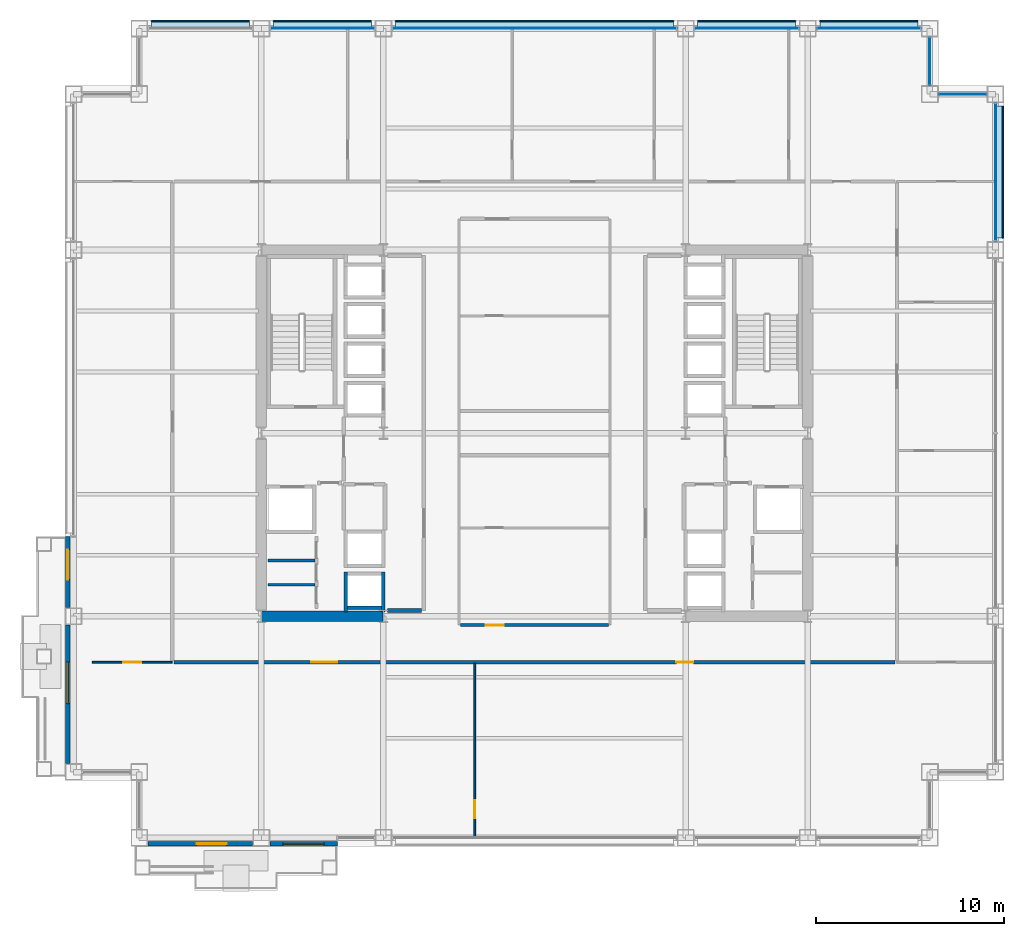
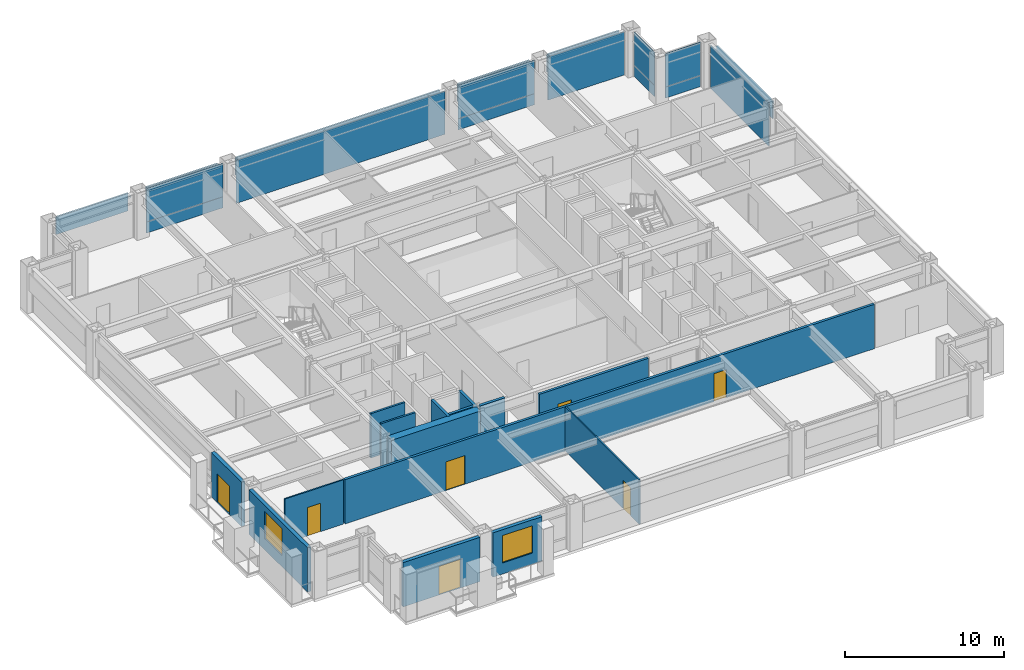
# One storey, part 22 of 28: 23 plates, 15 walls, 7 doors, 2 windows, 9 openings, 7 elements without a shape of their own.
"""IFC4 building model written with IfcOpenShell, lengths in metres."""

from ifc_helpers import new_model, si_unit, direction, frame, frame_2d, origin, origin_2d, place, context, subcontext, project, spatial, rectangle, extrude, material, layer, layer_set, type_object, element, fill, aggregate, save


model = new_model("IFC4")

# Units and contexts
model_context = context("Model", 3, precision=1e-05, world=origin(), true_north=direction((0.0, 1.0)))
body_context = subcontext(model_context, "Body", "Model", "MODEL_VIEW")
ifc_project = project(units=[si_unit("LENGTHUNIT", "METRE"), si_unit("AREAUNIT", "SQUARE_METRE"), si_unit("VOLUMEUNIT", "CUBIC_METRE"), si_unit("PLANEANGLEUNIT", "RADIAN"), si_unit("MASSUNIT", "GRAM", prefix="KILO")], contexts=[model_context])

# Site, building, storey
site_placement = place(None, origin())
site = spatial("IfcSite", under=ifc_project, at=site_placement, CompositionType="ELEMENT")
building_placement = place(site_placement, origin())
building = spatial("IfcBuilding", under=site, at=building_placement, Name="Brelmoor Portico Tower", CompositionType="ELEMENT")
storey_placement = place(building_placement, frame((0.0, 0.0, 70.800048828125)))
storey = spatial("IfcBuildingStorey", under=building, at=storey_placement, Name="L18", CompositionType="ELEMENT", Elevation=70.800048828125)

# Curtain wall, plate
ifc_material_1 = material(Name="Anodised Aluminium Alloy 6063-T6", Category="aluminium")
ifc_layer_1 = layer(ifc_material_1, 0.179931640625)
ifc_layer_set_1 = layer_set([ifc_layer_1], Name="Anodised Aluminium Alloy 6063-T6")
curtain_wall_type_1 = type_object("IfcCurtainWallType", Name="CW-TOWER-Z1", PredefinedType="NOTDEFINED", material=ifc_layer_set_1)
curtain_wall_1_placement = place(storey_placement, origin())
curtain_wall_1 = element("IfcCurtainWall", 1, at=curtain_wall_1_placement, inside=storey, type_object=curtain_wall_type_1, Name="L18 Curtain Wall CW-L18-02-2", PredefinedType="NOTDEFINED")
ifc_material_2 = material(Name="Double-Silver Low-E Insulated Glazing", Category="glass")
ifc_layer_2 = layer(ifc_material_2, 0.035888671875)
ifc_layer_set_2 = layer_set([ifc_layer_2], Name="Double-Silver Low-E Insulated Glazing")
plate_type_1 = type_object("IfcPlateType", Name="PT-CW-GLASS", PredefinedType="CURTAIN_PANEL", material=ifc_layer_set_2)
plate_1_placement = place(storey_placement, frame((-11.300048828125, 21.550048828125, 0.85009765625), z_axis=(0.0, 0.0, 1.0), x_axis=(1.0, 0.0, 0.0)))
plate_1 = element("IfcPlate", 2, at=plate_1_placement, type_object=plate_type_1, Name="CW-L18-02-2 Vision Glass Panel 00", PredefinedType="CURTAIN_PANEL", context=body_context, shape_type="SweptSolid", body=[
    extrude(rectangle(XDim=5.550048828125, YDim=0.035888671875, at=origin_2d()), origin(), (0.0, 0.0, 1.0), 2.550048828125),
])

curtain_wall_2_placement = place(storey_placement, origin())
curtain_wall_2 = element("IfcCurtainWall", 3, at=curtain_wall_2_placement, inside=storey, type_object=curtain_wall_type_1, Name="L18 Curtain Wall CW-L18-02-4", PredefinedType="NOTDEFINED")
plate_2_placement = place(storey_placement, frame((11.300048828125, 21.550048828125, 0.85009765625), z_axis=(0.0, 0.0, 1.0), x_axis=(1.0, 0.0, 0.0)))
plate_2 = element("IfcPlate", 4, at=plate_2_placement, type_object=plate_type_1, Name="CW-L18-02-4 Vision Glass Panel 00", PredefinedType="CURTAIN_PANEL", context=body_context, shape_type="SweptSolid", body=[
    extrude(rectangle(XDim=5.550048828125, YDim=0.035888671875, at=origin_2d()), origin(), (0.0, 0.0, 1.0), 2.550048828125),
])

ifc_layer_3 = layer(ifc_material_1, 0.179931640625)
ifc_layer_set_3 = layer_set([ifc_layer_3], Name="Anodised Aluminium Alloy 6063-T6")
curtain_wall_type_2 = type_object("IfcCurtainWallType", Name="CW-NOTCH-CHAMFER", PredefinedType="NOTDEFINED", material=ifc_layer_set_3)
curtain_wall_3_placement = place(storey_placement, origin())
curtain_wall_3 = element("IfcCurtainWall", 5, at=curtain_wall_3_placement, inside=storey, type_object=curtain_wall_type_2, Name="L18 Curtain Wall CWN-L18-NEH", PredefinedType="NOTDEFINED")
plate_3_placement = place(storey_placement, frame((22.800048828125, 18.050048828125, 0.85009765625), z_axis=(0.0, 0.0, 1.0), x_axis=(1.0, 0.0, 0.0)))
plate_3 = element("IfcPlate", 6, at=plate_3_placement, type_object=plate_type_1, Name="CWN-L18-NEH Vision Glass Panel 00", PredefinedType="CURTAIN_PANEL", context=body_context, shape_type="SweptSolid", body=[
    extrude(rectangle(XDim=2.550048828125, YDim=0.035888671875, at=origin_2d()), origin(), (0.0, 0.0, 1.0), 2.550048828125),
])

curtain_wall_4_placement = place(storey_placement, origin())
curtain_wall_4 = element("IfcCurtainWall", 7, at=curtain_wall_4_placement, inside=storey, type_object=curtain_wall_type_2, Name="L18 Curtain Wall CWN-L18-NEV", PredefinedType="NOTDEFINED")
plate_4_placement = place(storey_placement, frame((21.050048828125, 19.800048828125, 0.85009765625), z_axis=(0.0, 0.0, 1.0), x_axis=(0.0, 1.0, 0.0)))
plate_4 = element("IfcPlate", 8, at=plate_4_placement, type_object=plate_type_1, Name="CWN-L18-NEV Vision Glass Panel 00", PredefinedType="CURTAIN_PANEL", context=body_context, shape_type="SweptSolid", body=[
    extrude(rectangle(XDim=2.550048828125, YDim=0.035888671875, at=origin_2d()), origin(), (0.0, 0.0, 1.0), 2.550048828125),
])

# Plate
ifc_material_3 = material(Name="Pale Champagne Anodised Aluminium Panel", Category="aluminium")
ifc_layer_4 = layer(ifc_material_3, 0.050048828125)
ifc_layer_set_4 = layer_set([ifc_layer_4], Name="Pale Champagne Anodised Aluminium Panel")
plate_type_2 = type_object("IfcPlateType", Name="PT-CW-SPANDREL", PredefinedType="SHEET", material=ifc_layer_set_4)
plate_5_placement = place(storey_placement, frame((-11.300048828125, 21.550048828125, 0.0), z_axis=(0.0, 0.0, 1.0), x_axis=(1.0, 0.0, 0.0)))
plate_5 = element("IfcPlate", 9, at=plate_5_placement, type_object=plate_type_2, Name="CW-L18-02-2 Spandrel Panel 00", PredefinedType="SHEET", context=body_context, shape_type="SweptSolid", body=[
    extrude(rectangle(XDim=5.550048828125, YDim=0.050048828125, at=origin_2d()), origin(), (0.0, 0.0, 1.0), 0.85009765625),
])

aggregate(curtain_wall_1, [plate_5, plate_1])

# Curtain wall, plate
ifc_layer_5 = layer(ifc_material_1, 0.179931640625)
ifc_layer_set_5 = layer_set([ifc_layer_5], Name="Anodised Aluminium Alloy 6063-T6")
curtain_wall_type_3 = type_object("IfcCurtainWallType", Name="CW-TOWER-Z1-XB", PredefinedType="NOTDEFINED", material=ifc_layer_set_5)
curtain_wall_5_placement = place(storey_placement, origin())
curtain_wall_5 = element("IfcCurtainWall", 10, at=curtain_wall_5_placement, inside=storey, type_object=curtain_wall_type_3, Name="L18 Curtain Wall CW-L18-02-3", PredefinedType="NOTDEFINED")
plate_6_placement = place(storey_placement, frame((0.0, 21.550048828125, 0.0), z_axis=(0.0, 0.0, 1.0), x_axis=(1.0, 0.0, 0.0)))
plate_6 = element("IfcPlate", 11, at=plate_6_placement, type_object=plate_type_2, Name="CW-L18-02-3 Spandrel Panel 00", PredefinedType="SHEET", context=body_context, shape_type="SweptSolid", body=[
    extrude(rectangle(XDim=15.14990234375, YDim=0.050048828125, at=origin_2d()), origin(), (0.0, 0.0, 1.0), 3.330078125),
])
aggregate(curtain_wall_5, [plate_6])

# Plate
plate_7_placement = place(storey_placement, frame((11.300048828125, 21.550048828125, 0.0), z_axis=(0.0, 0.0, 1.0), x_axis=(1.0, 0.0, 0.0)))
plate_7 = element("IfcPlate", 12, at=plate_7_placement, type_object=plate_type_2, Name="CW-L18-02-4 Spandrel Panel 00", PredefinedType="SHEET", context=body_context, shape_type="SweptSolid", body=[
    extrude(rectangle(XDim=5.550048828125, YDim=0.050048828125, at=origin_2d()), origin(), (0.0, 0.0, 1.0), 0.85009765625),
])

aggregate(curtain_wall_2, [plate_7, plate_2])

# Curtain wall, plate
curtain_wall_6_placement = place(storey_placement, origin())
curtain_wall_6 = element("IfcCurtainWall", 13, at=curtain_wall_6_placement, inside=storey, type_object=curtain_wall_type_3, Name="L18 Curtain Wall CW-L18-02-5", PredefinedType="NOTDEFINED")
plate_8_placement = place(storey_placement, frame((17.800048828125, 21.550048828125, 0.0), z_axis=(0.0, 0.0, 1.0), x_axis=(1.0, 0.0, 0.0)))
plate_8 = element("IfcPlate", 14, at=plate_8_placement, type_object=plate_type_2, Name="CW-L18-02-5 Spandrel Panel 00", PredefinedType="SHEET", context=body_context, shape_type="SweptSolid", body=[
    extrude(rectangle(XDim=5.550048828125, YDim=0.050048828125, at=origin_2d()), origin(), (0.0, 0.0, 1.0), 3.330078125),
])
aggregate(curtain_wall_6, [plate_8])

curtain_wall_7_placement = place(storey_placement, origin())
curtain_wall_7 = element("IfcCurtainWall", 15, at=curtain_wall_7_placement, inside=storey, type_object=curtain_wall_type_3, Name="L18 Curtain Wall CW-L18-04-3", PredefinedType="NOTDEFINED")
plate_9_placement = place(storey_placement, frame((24.550048828125, 13.89990234375, 0.0), z_axis=(0.0, 0.0, 1.0), x_axis=(0.0, 1.0, 0.0)))
plate_9 = element("IfcPlate", 16, at=plate_9_placement, type_object=plate_type_2, Name="CW-L18-04-3 Spandrel Panel 00", PredefinedType="SHEET", context=body_context, shape_type="SweptSolid", body=[
    extrude(rectangle(XDim=7.35009765625, YDim=0.050048828125, at=origin_2d()), origin(), (0.0, 0.0, 1.0), 3.330078125),
])
aggregate(curtain_wall_7, [plate_9])

# Plate
plate_10_placement = place(storey_placement, frame((22.800048828125, 18.050048828125, 0.0), z_axis=(0.0, 0.0, 1.0), x_axis=(1.0, 0.0, 0.0)))
plate_10 = element("IfcPlate", 17, at=plate_10_placement, type_object=plate_type_2, Name="CWN-L18-NEH Spandrel Panel 00", PredefinedType="SHEET", context=body_context, shape_type="SweptSolid", body=[
    extrude(rectangle(XDim=2.550048828125, YDim=0.050048828125, at=origin_2d()), origin(), (0.0, 0.0, 1.0), 0.85009765625),
])

aggregate(curtain_wall_3, [plate_10, plate_3])

plate_11_placement = place(storey_placement, frame((21.050048828125, 19.800048828125, 0.0), z_axis=(0.0, 0.0, 1.0), x_axis=(0.0, 1.0, 0.0)))
plate_11 = element("IfcPlate", 18, at=plate_11_placement, type_object=plate_type_2, Name="CWN-L18-NEV Spandrel Panel 00", PredefinedType="SHEET", context=body_context, shape_type="SweptSolid", body=[
    extrude(rectangle(XDim=2.550048828125, YDim=0.050048828125, at=origin_2d()), origin(), (0.0, 0.0, 1.0), 0.85009765625),
])

aggregate(curtain_wall_4, [plate_11, plate_4])

# Plates
ifc_material_4 = material(Name="Powder-Coated Aluminium Shuttered Jalousie Louvre", Category="aluminium")
ifc_layer_6 = layer(ifc_material_4, 0.06005859375)
ifc_layer_set_6 = layer_set([ifc_layer_6], Name="Powder-Coated Aluminium Shuttered Jalousie Louvre")
plate_type_3 = type_object("IfcPlateType", Name="PT-JALOUSIE-SHUTTER", PredefinedType="SHEET", material=ifc_layer_set_6)
for number, where, z_axis, x_axis, name in (
    (19, (-17.800048828125, 21.929931640625, 1.8740234375), (0.0, 0.0, 1.0), (1.0, 0.0, 0.0), "CW-L18-02-1 Perforated Jalousie Solar Screen"),
    (20, (-11.300048828125, 21.929931640625, 1.8740234375), (0.0, 0.0, 1.0), (1.0, 0.0, 0.0), "CW-L18-02-2 Perforated Jalousie Solar Screen"),
):
    element("IfcPlate", number, at=place(storey_placement, frame(where, z_axis=z_axis, x_axis=x_axis)), inside=storey, type_object=plate_type_3, Name=name, PredefinedType="SHEET", context=body_context, shape_type="SweptSolid", body=[
        extrude(rectangle(XDim=5.219970703125, YDim=0.06494140625, at=origin_2d()), origin(), (0.0, 0.0, 1.0), 1.325927734375),
    ])
plate_12_placement = place(storey_placement, frame((0.0, 21.929931640625, 1.8740234375), z_axis=(0.0, 0.0, 1.0), x_axis=(1.0, 0.0, 0.0)))
element("IfcPlate", 21, at=plate_12_placement, inside=storey, type_object=plate_type_3, Name="CW-L18-02-3 Perforated Jalousie Solar Screen", PredefinedType="SHEET", context=body_context, shape_type="SweptSolid", body=[
    extrude(rectangle(XDim=14.820068359375, YDim=0.06494140625, at=origin_2d()), origin(), (0.0, 0.0, 1.0), 1.325927734375),
])
for number, where, z_axis, x_axis, name in (
    (22, (11.300048828125, 21.929931640625, 1.8740234375), (0.0, 0.0, 1.0), (1.0, 0.0, 0.0), "CW-L18-02-4 Perforated Jalousie Solar Screen"),
    (23, (17.800048828125, 21.929931640625, 1.8740234375), (0.0, 0.0, 1.0), (1.0, 0.0, 0.0), "CW-L18-02-5 Perforated Jalousie Solar Screen"),
):
    element("IfcPlate", number, at=place(storey_placement, frame(where, z_axis=z_axis, x_axis=x_axis)), inside=storey, type_object=plate_type_3, Name=name, PredefinedType="SHEET", context=body_context, shape_type="SweptSolid", body=[
        extrude(rectangle(XDim=5.219970703125, YDim=0.06494140625, at=origin_2d()), origin(), (0.0, 0.0, 1.0), 1.325927734375),
    ])
plate_13_placement = place(storey_placement, frame((24.929931640625, 13.89990234375, 1.8740234375), z_axis=(0.0, 0.0, 1.0), x_axis=(0.0, 1.0, 0.0)))
element("IfcPlate", 24, at=plate_13_placement, inside=storey, type_object=plate_type_3, Name="CW-L18-04-3 Perforated Jalousie Solar Screen", PredefinedType="SHEET", context=body_context, shape_type="SweptSolid", body=[
    extrude(rectangle(XDim=7.02001953125, YDim=0.06494140625, at=origin_2d()), origin(), (0.0, 0.0, 1.0), 1.325927734375),
])
ifc_material_5 = material(Name="Pale Champagne Perforated Aluminium Solar Screen", Category="aluminium")
ifc_layer_7 = layer(ifc_material_5, 0.054931640625)
ifc_layer_set_7 = layer_set([ifc_layer_7], Name="Pale Champagne Perforated Aluminium Solar Screen")
plate_type_4 = type_object("IfcPlateType", Name="PT-SOLAR-LOUVRE", PredefinedType="SHEET", material=ifc_layer_set_7)
for number, where, z_axis, x_axis, name in (
    (25, (-17.800048828125, 21.760009765625, 3.08984375), (0.0, 0.0, 1.0), (1.0, 0.0, 0.0), "CW-L18-02-1 Caribbean Brise-Soleil Solar Screen"),
    (26, (-11.300048828125, 21.760009765625, 3.08984375), (0.0, 0.0, 1.0), (1.0, 0.0, 0.0), "CW-L18-02-2 Caribbean Brise-Soleil Solar Screen"),
):
    element("IfcPlate", number, at=place(storey_placement, frame(where, z_axis=z_axis, x_axis=x_axis)), inside=storey, type_object=plate_type_4, Name=name, PredefinedType="SHEET", context=body_context, shape_type="SweptSolid", body=[
        extrude(rectangle(XDim=5.219970703125, YDim=0.4599609375, at=origin_2d()), origin(), (0.0, 0.0, 1.0), 0.139892578125),
    ])
plate_14_placement = place(storey_placement, frame((0.0, 21.760009765625, 3.08984375), z_axis=(0.0, 0.0, 1.0), x_axis=(1.0, 0.0, 0.0)))
element("IfcPlate", 27, at=plate_14_placement, inside=storey, type_object=plate_type_4, Name="CW-L18-02-3 Caribbean Brise-Soleil Solar Screen", PredefinedType="SHEET", context=body_context, shape_type="SweptSolid", body=[
    extrude(rectangle(XDim=14.820068359375, YDim=0.4599609375, at=origin_2d()), origin(), (0.0, 0.0, 1.0), 0.139892578125),
])
for number, where, z_axis, x_axis, name in (
    (28, (11.300048828125, 21.760009765625, 3.08984375), (0.0, 0.0, 1.0), (1.0, 0.0, 0.0), "CW-L18-02-4 Caribbean Brise-Soleil Solar Screen"),
    (29, (17.800048828125, 21.760009765625, 3.08984375), (0.0, 0.0, 1.0), (1.0, 0.0, 0.0), "CW-L18-02-5 Caribbean Brise-Soleil Solar Screen"),
):
    element("IfcPlate", number, at=place(storey_placement, frame(where, z_axis=z_axis, x_axis=x_axis)), inside=storey, type_object=plate_type_4, Name=name, PredefinedType="SHEET", context=body_context, shape_type="SweptSolid", body=[
        extrude(rectangle(XDim=5.219970703125, YDim=0.4599609375, at=origin_2d()), origin(), (0.0, 0.0, 1.0), 0.139892578125),
    ])
plate_15_placement = place(storey_placement, frame((24.760009765625, 13.89990234375, 3.08984375), z_axis=(0.0, 0.0, 1.0), x_axis=(0.0, 1.0, 0.0)))
element("IfcPlate", 30, at=plate_15_placement, inside=storey, type_object=plate_type_4, Name="CW-L18-04-3 Caribbean Brise-Soleil Solar Screen", PredefinedType="SHEET", context=body_context, shape_type="SweptSolid", body=[
    extrude(rectangle(XDim=7.02001953125, YDim=0.4599609375, at=origin_2d()), origin(), (0.0, 0.0, 1.0), 0.139892578125),
])

# Wall
ifc_material_6 = material(Name="Concrete C60", Category="concrete")
ifc_layer_8 = layer(ifc_material_6, 0.550048828125)
ifc_layer_set_8 = layer_set([ifc_layer_8], Name="Concrete C60")
wall_type_1 = type_object("IfcWallType", Name="WL-CORE-550", PredefinedType="SHEAR", material=ifc_layer_set_8)
wall_1_placement = place(storey_placement, frame((-14.530029296875, -9.75, -0.199951171875), z_axis=(0.0, 0.0, 1.0), x_axis=(1.0, 0.0, 0.0)))
element("IfcWall", 31, at=wall_1_placement, inside=storey, type_object=wall_type_1, Name="L18 WC South Shear Wall", PredefinedType="SHEAR", context=body_context, shape_type="SweptSolid", body=[
    extrude(rectangle(XDim=6.4599609375, YDim=0.550048828125, at=frame_2d((3.22998046875, 0.0))), origin(), (0.0, 0.0, 1.0), 3.599853515625),
])

# Wall, opening, door
ifc_material_7 = material(Name="Precast Concrete C40 Insulated Facade Wall", Category="concrete")
ifc_layer_9 = layer(ifc_material_7, 0.25)
ifc_layer_set_9 = layer_set([ifc_layer_9], Name="Precast Concrete C40 Insulated Facade Wall")
wall_type_2 = type_object("IfcWallType", Name="WL-EXT-250", PredefinedType="STANDARD", material=ifc_layer_set_9)
wall_2_placement = place(storey_placement, frame((-20.580078125, -21.860107421875, 0.0), z_axis=(0.0, 0.0, 1.0), x_axis=(1.0, 0.0, 0.0)))
wall_2 = element("IfcWall", 32, at=wall_2_placement, inside=storey, type_object=wall_type_2, Name="L18 Loggia Threshold Wall S-1", PredefinedType="STANDARD", context=body_context, shape_type="SweptSolid", body=[
    extrude(rectangle(XDim=5.56005859375, YDim=0.25, at=frame_2d((2.780029296875, 0.0))), origin(), (0.0, 0.0, 1.0), 3.39990234375),
])
opening_1_placement = place(wall_2_placement, frame((2.580078125, 0.0, 0.0)))
opening_1 = element("IfcOpeningElement", 33, at=opening_1_placement, cuts=wall_2, Name="Opening D-TB1", PredefinedType="OPENING", context=body_context, shape_type="SweptSolid", body=[
    extrude(rectangle(XDim=1.60009765625, YDim=2.199951171875, at=frame_2d((0.800048828125, 1.10009765625))), frame((0.0, 0.135009765625, 0.0), z_axis=(0.0, -1.0, 0.0), x_axis=(1.0, 0.0, 0.0)), (0.0, 0.0, 1.0), 0.27001953125),
])
ifc_material_8 = material(Name="Double-Leaf Thermally Broken Terrace Door", Category="aluminium")
door_type_1 = type_object("IfcDoorType", Name="DR-BALCONY-1600", OperationType="NOTDEFINED", PredefinedType="DOOR", material=ifc_material_8)
door_1_placement = place(opening_1_placement, origin())
door_1 = element("IfcDoor", 34, at=door_1_placement, inside=storey, type_object=door_type_1, Name="D-0836 L18 Tree Balcony Double Door S", OperationType="DOUBLE_DOOR_SINGLE_SWING", OverallHeight=2.199951171875, OverallWidth=1.60009765625, PredefinedType="DOOR", context=body_context, shape_type="SweptSolid", body=[
    extrude(rectangle(XDim=1.60009765625, YDim=2.199951171875, at=frame_2d((0.800048828125, 1.10009765625))), frame((0.0, 0.02490234375, 0.0), z_axis=(0.0, -1.0, 0.0), x_axis=(1.0, 0.0, 0.0)), (0.0, 0.0, 1.0), 0.050048828125),
])
fill(opening_1, door_1)

# Wall, opening, window
wall_3_placement = place(storey_placement, frame((-14.080078125, -21.860107421875, 0.0), z_axis=(0.0, 0.0, 1.0), x_axis=(1.0, 0.0, 0.0)))
wall_3 = element("IfcWall", 35, at=wall_3_placement, inside=storey, type_object=wall_type_2, Name="L18 Loggia Threshold Wall S-2", PredefinedType="STANDARD", context=body_context, shape_type="SweptSolid", body=[
    extrude(rectangle(XDim=3.580078125, YDim=0.25, at=frame_2d((1.7900390625, 0.0))), origin(), (0.0, 0.0, 1.0), 3.39990234375),
])
opening_2_placement = place(wall_3_placement, frame((0.679931640625, 0.0, 0.85009765625)))
opening_2 = element("IfcOpeningElement", 36, at=opening_2_placement, cuts=wall_3, Name="Opening W-03B", PredefinedType="OPENING", context=body_context, shape_type="SweptSolid", body=[
    extrude(rectangle(XDim=2.199951171875, YDim=2.10009765625, at=frame_2d((1.10009765625, 1.050048828125))), frame((0.0, 0.135009765625, 0.0), z_axis=(0.0, -1.0, 0.0), x_axis=(1.0, 0.0, 0.0)), (0.0, 0.0, 1.0), 0.27001953125),
])
ifc_material_9 = material(Name="Thermally Broken Aluminium Low-E Window", Category="aluminium")
window_type = type_object("IfcWindowType", Name="WN-LOGGIA-2200x2100", PartitioningType="SINGLE_PANEL", PredefinedType="WINDOW", material=ifc_material_9)
window_1_placement = place(opening_2_placement, origin())
window_1 = element("IfcWindow", 37, at=window_1_placement, inside=storey, type_object=window_type, Name="L18 Loggia Window S", OverallHeight=2.10009765625, OverallWidth=2.199951171875, PartitioningType="SINGLE_PANEL", PredefinedType="WINDOW", context=body_context, shape_type="SweptSolid", body=[
    extrude(rectangle(XDim=2.199951171875, YDim=2.10009765625, at=frame_2d((1.10009765625, 1.050048828125))), frame((0.0, 0.030029296875, 0.0), z_axis=(0.0, -1.0, 0.0), x_axis=(1.0, 0.0, 0.0)), (0.0, 0.0, 1.0), 0.06005859375),
])
fill(opening_2, window_1)

wall_4_placement = place(storey_placement, frame((-24.860107421875, -17.580078125, 0.0), z_axis=(0.0, 0.0, 1.0), x_axis=(0.0, 1.0, 0.0)))
wall_4 = element("IfcWall", 38, at=wall_4_placement, inside=storey, type_object=wall_type_2, Name="L18 Loggia Threshold Wall W-1", PredefinedType="STANDARD", context=body_context, shape_type="SweptSolid", body=[
    extrude(rectangle(XDim=7.360107421875, YDim=0.25, at=frame_2d((3.68017578125, 0.0))), origin(), (0.0, 0.0, 1.0), 3.39990234375),
])
opening_3_placement = place(wall_4_placement, frame((3.179931640625, 0.0, 0.85009765625)))
opening_3 = element("IfcOpeningElement", 39, at=opening_3_placement, cuts=wall_4, Name="Opening W-03B", PredefinedType="OPENING", context=body_context, shape_type="SweptSolid", body=[
    extrude(rectangle(XDim=2.199951171875, YDim=2.10009765625, at=frame_2d((1.10009765625, 1.050048828125))), frame((0.0, 0.135009765625, 0.0), z_axis=(0.0, -1.0, 0.0), x_axis=(1.0, 0.0, 0.0)), (0.0, 0.0, 1.0), 0.27001953125),
])
window_2_placement = place(opening_3_placement, origin())
window_2 = element("IfcWindow", 40, at=window_2_placement, inside=storey, type_object=window_type, Name="L18 Loggia Window W", OverallHeight=2.10009765625, OverallWidth=2.199951171875, PartitioningType="SINGLE_PANEL", PredefinedType="WINDOW", context=body_context, shape_type="SweptSolid", body=[
    extrude(rectangle(XDim=2.199951171875, YDim=2.10009765625, at=frame_2d((1.10009765625, 1.050048828125))), frame((0.0, 0.030029296875, 0.0), z_axis=(0.0, -1.0, 0.0), x_axis=(1.0, 0.0, 0.0)), (0.0, 0.0, 1.0), 0.06005859375),
])
fill(opening_3, window_2)

# Wall, opening, door
wall_5_placement = place(storey_placement, frame((-24.860107421875, -9.280029296875, 0.0), z_axis=(0.0, 0.0, 1.0), x_axis=(0.0, 1.0, 0.0)))
wall_5 = element("IfcWall", 41, at=wall_5_placement, inside=storey, type_object=wall_type_2, Name="L18 Loggia Threshold Wall W-2", PredefinedType="STANDARD", context=body_context, shape_type="SweptSolid", body=[
    extrude(rectangle(XDim=3.780029296875, YDim=0.25, at=frame_2d((1.89013671875, 0.0))), origin(), (0.0, 0.0, 1.0), 3.39990234375),
])
opening_4_placement = place(wall_5_placement, frame((1.47998046875, 0.0, 0.0)))
opening_4 = element("IfcOpeningElement", 42, at=opening_4_placement, cuts=wall_5, Name="Opening D-TB1", PredefinedType="OPENING", context=body_context, shape_type="SweptSolid", body=[
    extrude(rectangle(XDim=1.60009765625, YDim=2.199951171875, at=frame_2d((0.800048828125, 1.10009765625))), frame((0.0, 0.135009765625, 0.0), z_axis=(0.0, -1.0, 0.0), x_axis=(1.0, 0.0, 0.0)), (0.0, 0.0, 1.0), 0.27001953125),
])
door_2_placement = place(opening_4_placement, origin())
door_2 = element("IfcDoor", 43, at=door_2_placement, inside=storey, type_object=door_type_1, Name="D-0837 L18 Tree Balcony Double Door W", OperationType="DOUBLE_DOOR_SINGLE_SWING", OverallHeight=2.199951171875, OverallWidth=1.60009765625, PredefinedType="DOOR", context=body_context, shape_type="SweptSolid", body=[
    extrude(rectangle(XDim=1.60009765625, YDim=2.199951171875, at=frame_2d((0.800048828125, 1.10009765625))), frame((0.0, 0.02490234375, 0.0), z_axis=(0.0, -1.0, 0.0), x_axis=(1.0, 0.0, 0.0)), (0.0, 0.0, 1.0), 0.050048828125),
])
fill(opening_4, door_2)

ifc_material_10 = material(Name="Demountable Glazed Office Partition", Category="aluminium")
ifc_layer_10 = layer(ifc_material_10, 0.10009765625)
ifc_layer_set_10 = layer_set([ifc_layer_10], Name="Demountable Glazed Office Partition")
wall_type_3 = type_object("IfcWallType", Name="WL-PART-100", PredefinedType="PARTITIONING", material=ifc_layer_set_10)
wall_6_placement = place(storey_placement, frame((-3.185546875, -21.56005859375, 0.0), z_axis=(0.0, 0.0, 1.0), x_axis=(0.0, 1.0, 0.0)))
wall_6 = element("IfcWall", 44, at=wall_6_placement, inside=storey, type_object=wall_type_3, Name="L18 South Suite Partition 1", PredefinedType="PARTITIONING", context=body_context, shape_type="SweptSolid", body=[
    extrude(rectangle(XDim=9.300048828125, YDim=0.10009765625, at=frame_2d((4.64990234375, 0.0))), origin(), (0.0, 0.0, 1.0), 3.39990234375),
])
opening_5_placement = place(wall_6_placement, frame((1.050048828125, 0.0, 0.0)))
opening_5 = element("IfcOpeningElement", 45, at=opening_5_placement, cuts=wall_6, Name="Opening D-IN2", PredefinedType="OPENING", context=body_context, shape_type="SweptSolid", body=[
    extrude(rectangle(XDim=0.9599609375, YDim=2.179931640625, at=frame_2d((0.47998046875, 1.08984375))), frame((0.0, 0.06005859375, 0.0), z_axis=(0.0, -1.0, 0.0), x_axis=(1.0, 0.0, 0.0)), (0.0, 0.0, 1.0), 0.1201171875),
])
ifc_material_11 = material(Name="Lacquered Timber Suite Door", Category="wood")
door_type_2 = type_object("IfcDoorType", Name="DR-INT-950", OperationType="NOTDEFINED", PredefinedType="DOOR", material=ifc_material_11)
door_3_placement = place(opening_5_placement, origin())
door_3 = element("IfcDoor", 46, at=door_3_placement, inside=storey, type_object=door_type_2, Name="D-0831 L18 South Suite Connecting Door 1", OperationType="SINGLE_SWING_LEFT", OverallHeight=2.179931640625, OverallWidth=0.9599609375, PredefinedType="DOOR", context=body_context, shape_type="SweptSolid", body=[
    extrude(rectangle(XDim=0.9599609375, YDim=2.179931640625, at=frame_2d((0.47998046875, 1.08984375))), frame((0.0, 0.02490234375, 0.0), z_axis=(0.0, -1.0, 0.0), x_axis=(1.0, 0.0, 0.0)), (0.0, 0.0, 1.0), 0.050048828125),
])
fill(opening_5, door_3)

wall_7_placement = place(storey_placement, frame((-23.550048828125, -12.199951171875, 0.0), z_axis=(0.0, 0.0, 1.0), x_axis=(1.0, 0.0, 0.0)))
wall_7 = element("IfcWall", 47, at=wall_7_placement, inside=storey, type_object=wall_type_3, Name="L18 South Outer Closure WL", PredefinedType="PARTITIONING", context=body_context, shape_type="SweptSolid", body=[
    extrude(rectangle(XDim=4.25, YDim=0.10009765625, at=frame_2d((2.125, 0.0))), origin(), (0.0, 0.0, 1.0), 3.39990234375),
])
opening_6_placement = place(wall_7_placement, frame((1.64501953125, 0.0, 0.0)))
opening_6 = element("IfcOpeningElement", 48, at=opening_6_placement, cuts=wall_7, Name="Opening D-IN2", PredefinedType="OPENING", context=body_context, shape_type="SweptSolid", body=[
    extrude(rectangle(XDim=0.9599609375, YDim=2.179931640625, at=frame_2d((0.47998046875, 1.08984375))), frame((0.0, 0.06005859375, 0.0), z_axis=(0.0, -1.0, 0.0), x_axis=(1.0, 0.0, 0.0)), (0.0, 0.0, 1.0), 0.1201171875),
])
door_4_placement = place(opening_6_placement, origin())
door_4 = element("IfcDoor", 49, at=door_4_placement, inside=storey, type_object=door_type_2, Name="D-0835 L18 WL South Corner Suite Door", OperationType="SINGLE_SWING_LEFT", OverallHeight=2.179931640625, OverallWidth=0.9599609375, PredefinedType="DOOR", context=body_context, shape_type="SweptSolid", body=[
    extrude(rectangle(XDim=0.9599609375, YDim=2.179931640625, at=frame_2d((0.47998046875, 1.08984375))), frame((0.0, 0.02490234375, 0.0), z_axis=(0.0, -1.0, 0.0), x_axis=(1.0, 0.0, 0.0)), (0.0, 0.0, 1.0), 0.050048828125),
])
fill(opening_6, door_4)

# Walls
ifc_material_12 = material(Name="Insulated Stud Suite Partition", Category="gypsum")
ifc_layer_11 = layer(ifc_material_12, 0.139892578125)
ifc_layer_set_11 = layer_set([ifc_layer_11], Name="Insulated Stud Suite Partition")
wall_type_4 = type_object("IfcWallType", Name="WL-PART-140", PredefinedType="PARTITIONING", material=ifc_layer_set_11)
for number, where, z_axis, x_axis, name in (
    (50, (-11.699951171875, -8.066650390625, 0.0), (0.0, 0.0, 1.0), (-1.0, 0.0, 0.0), "L18 W Core WC Divider 1"),
    (51, (-11.699951171875, -6.783203125, 0.0), (0.0, 0.0, 1.0), (-1.0, 0.0, 0.0), "L18 W Core WC Divider 2"),
):
    element("IfcWall", number, at=place(storey_placement, frame(where, z_axis=z_axis, x_axis=x_axis)), inside=storey, type_object=wall_type_4, Name=name, PredefinedType="PARTITIONING", context=body_context, shape_type="SweptSolid", body=[
        extrude(rectangle(XDim=2.5, YDim=0.139892578125, at=frame_2d((1.25, 0.0))), origin(), (0.0, 0.0, 1.0), 3.39990234375),
    ])

# Wall, opening, door
ifc_material_13 = material(Name="Acoustic Corridor Fire Partition", Category="gypsum")
ifc_layer_12 = layer(ifc_material_13, 0.179931640625)
ifc_layer_set_12 = layer_set([ifc_layer_12], Name="Acoustic Corridor Fire Partition")
wall_type_5 = type_object("IfcWallType", Name="WL-PART-180", PredefinedType="PARTITIONING", material=ifc_layer_set_12)
wall_8_placement = place(storey_placement, frame((-3.949951171875, -10.219970703125, 0.0), z_axis=(0.0, 0.0, 1.0), x_axis=(1.0, 0.0, 0.0)))
wall_8 = element("IfcWall", 52, at=wall_8_placement, inside=storey, type_object=wall_type_5, Name="L18 Central Pantry Corridor Wall", PredefinedType="PARTITIONING", context=body_context, shape_type="SweptSolid", body=[
    extrude(rectangle(XDim=7.89990234375, YDim=0.179931640625, at=frame_2d((3.949951171875, 0.0))), origin(), (0.0, 0.0, 1.0), 3.39990234375),
])
opening_7_placement = place(wall_8_placement, frame((1.35009765625, 0.0, 0.0)))
opening_7 = element("IfcOpeningElement", 53, at=opening_7_placement, cuts=wall_8, Name="Opening D-IN2", PredefinedType="OPENING", context=body_context, shape_type="SweptSolid", body=[
    extrude(rectangle(XDim=0.9599609375, YDim=2.179931640625, at=frame_2d((0.47998046875, 1.08984375))), frame((0.0, 0.099853515625, 0.0), z_axis=(0.0, -1.0, 0.0), x_axis=(1.0, 0.0, 0.0)), (0.0, 0.0, 1.0), 0.199951171875),
])
door_5_placement = place(opening_7_placement, origin())
door_5 = element("IfcDoor", 54, at=door_5_placement, inside=storey, type_object=door_type_2, Name="D-0803 L18 Staff Pantry Door", OperationType="SINGLE_SWING_RIGHT", OverallHeight=2.179931640625, OverallWidth=0.9599609375, PredefinedType="DOOR", context=body_context, shape_type="SweptSolid", body=[
    extrude(rectangle(XDim=0.9599609375, YDim=2.179931640625, at=frame_2d((0.47998046875, 1.08984375))), frame((0.0, 0.02490234375, 0.0), z_axis=(0.0, -1.0, 0.0), x_axis=(1.0, 0.0, 0.0)), (0.0, 0.0, 1.0), 0.050048828125),
])
fill(opening_7, door_5)

# Wall, openings, doors
wall_9_placement = place(storey_placement, frame((-19.199951171875, -12.199951171875, 0.0), z_axis=(0.0, 0.0, 1.0), x_axis=(1.0, 0.0, 0.0)))
wall_9 = element("IfcWall", 55, at=wall_9_placement, inside=storey, type_object=wall_type_5, Name="L18 South Corridor Partition", PredefinedType="PARTITIONING", context=body_context, shape_type="SweptSolid", body=[
    extrude(rectangle(XDim=38.39990234375, YDim=0.179931640625, at=frame_2d((19.199951171875, 0.0))), origin(), (0.0, 0.0, 1.0), 3.39990234375),
])
opening_8_placement = place(wall_9_placement, frame((7.30712890625, 0.0, 0.0)))
opening_8 = element("IfcOpeningElement", 56, at=opening_8_placement, cuts=wall_9, Name="Opening D-SU2", PredefinedType="OPENING", context=body_context, shape_type="SweptSolid", body=[
    extrude(rectangle(XDim=1.39990234375, YDim=2.199951171875, at=frame_2d((0.699951171875, 1.10009765625))), frame((0.0, 0.099853515625, 0.0), z_axis=(0.0, -1.0, 0.0), x_axis=(1.0, 0.0, 0.0)), (0.0, 0.0, 1.0), 0.199951171875),
])
opening_9_placement = place(wall_9_placement, frame((26.757080078125, 0.0, 0.0)))
opening_9 = element("IfcOpeningElement", 57, at=opening_9_placement, cuts=wall_9, Name="Opening D-IN1", PredefinedType="OPENING", context=body_context, shape_type="SweptSolid", body=[
    extrude(rectangle(XDim=0.89990234375, YDim=2.14990234375, at=frame_2d((0.449951171875, 1.074951171875))), frame((0.0, 0.099853515625, 0.0), z_axis=(0.0, -1.0, 0.0), x_axis=(1.0, 0.0, 0.0)), (0.0, 0.0, 1.0), 0.199951171875),
])
door_type_3 = type_object("IfcDoorType", Name="DR-INT-900", OperationType="NOTDEFINED", PredefinedType="DOOR", material=ifc_material_11)
door_6_placement = place(opening_9_placement, origin())
door_6 = element("IfcDoor", 58, at=door_6_placement, inside=storey, type_object=door_type_3, Name="D-0830 L18 South Cellular Office 2 Door", OperationType="SINGLE_SWING_RIGHT", OverallHeight=2.14990234375, OverallWidth=0.89990234375, PredefinedType="DOOR", context=body_context, shape_type="SweptSolid", body=[
    extrude(rectangle(XDim=0.89990234375, YDim=2.14990234375, at=frame_2d((0.449951171875, 1.074951171875))), frame((0.0, 0.02490234375, 0.0), z_axis=(0.0, -1.0, 0.0), x_axis=(1.0, 0.0, 0.0)), (0.0, 0.0, 1.0), 0.050048828125),
])
fill(opening_9, door_6)
ifc_material_14 = material(Name="Double-Leaf Acoustic Suite Door", Category="timber")
door_type_4 = type_object("IfcDoorType", Name="DR-SUITE-1400", OperationType="NOTDEFINED", PredefinedType="DOOR", material=ifc_material_14)
door_7_placement = place(opening_8_placement, origin())
door_7 = element("IfcDoor", 59, at=door_7_placement, inside=storey, type_object=door_type_4, Name="D-0829 L18 South Partner Office 1 Door", OperationType="DOUBLE_DOOR_SINGLE_SWING", OverallHeight=2.199951171875, OverallWidth=1.39990234375, PredefinedType="DOOR", context=body_context, shape_type="SweptSolid", body=[
    extrude(rectangle(XDim=1.39990234375, YDim=2.199951171875, at=frame_2d((0.699951171875, 1.10009765625))), frame((0.0, 0.02490234375, 0.0), z_axis=(0.0, -1.0, 0.0), x_axis=(1.0, 0.0, 0.0)), (0.0, 0.0, 1.0), 0.050048828125),
])
fill(opening_8, door_7)

# Walls
ifc_material_15 = material(Name="Double-Stud Gypsum Fire Partition", Category="gypsum")
ifc_layer_13 = layer(ifc_material_15, 0.199951171875)
ifc_layer_set_13 = layer_set([ifc_layer_13], Name="Double-Stud Gypsum Fire Partition")
wall_type_6 = type_object("IfcWallType", Name="WL-PART-200", PredefinedType="PARTITIONING", material=ifc_layer_set_13)
wall_10_placement = place(storey_placement, frame((-6.02001953125, -9.449951171875, 0.0), z_axis=(0.0, 0.0, 1.0), x_axis=(-1.0, 0.0, 0.0)))
element("IfcWall", 60, at=wall_10_placement, inside=storey, type_object=wall_type_6, Name="L18 W Lift Lobby South End Wall", PredefinedType="PARTITIONING", context=body_context, shape_type="SweptSolid", body=[
    extrude(rectangle(XDim=1.800048828125, YDim=0.199951171875, at=frame_2d((0.89990234375, 0.0))), origin(), (0.0, 0.0, 1.0), 3.39990234375),
])
ifc_material_16 = material(Name="Precast Concrete C40", Category="concrete")
ifc_layer_14 = layer(ifc_material_16, 0.18994140625)
ifc_layer_set_14 = layer_set([ifc_layer_14], Name="Precast Concrete C40")
wall_type_7 = type_object("IfcWallType", Name="WL-SHAFT-180", PredefinedType="SOLIDWALL", material=ifc_layer_set_14)
for number, where, z_axis, x_axis, name in (
    (61, (-8.044921875, -9.52001953125, -0.199951171875), (0.0, 0.0, 1.0), (0.0, 1.0, 0.0), "L18 Lift PH1 Hoistway Front Wall"),
    (62, (-10.054931640625, -9.52001953125, -0.199951171875), (0.0, 0.0, 1.0), (0.0, 1.0, 0.0), "L18 Lift PH1 Hoistway Back Wall"),
):
    element("IfcWall", number, at=place(storey_placement, frame(where, z_axis=z_axis, x_axis=x_axis)), inside=storey, type_object=wall_type_7, Name=name, PredefinedType="SOLIDWALL", context=body_context, shape_type="SweptSolid", body=[
        extrude(rectangle(XDim=2.1201171875, YDim=0.18994140625, at=frame_2d((1.06005859375, 0.0))), origin(), (0.0, 0.0, 1.0), 3.599853515625),
    ])
wall_11_placement = place(storey_placement, frame((-10.14990234375, -9.304931640625, -0.199951171875), z_axis=(0.0, 0.0, 1.0), x_axis=(1.0, 0.0, 0.0)))
element("IfcWall", 63, at=wall_11_placement, inside=storey, type_object=wall_type_7, Name="L18 Lift PH1 Hoistway South Wall", PredefinedType="SOLIDWALL", context=body_context, shape_type="SweptSolid", body=[
    extrude(rectangle(XDim=2.199951171875, YDim=0.18994140625, at=frame_2d((1.10009765625, 0.0))), origin(), (0.0, 0.0, 1.0), 3.599853515625),
])

save(model, "model.ifc")
